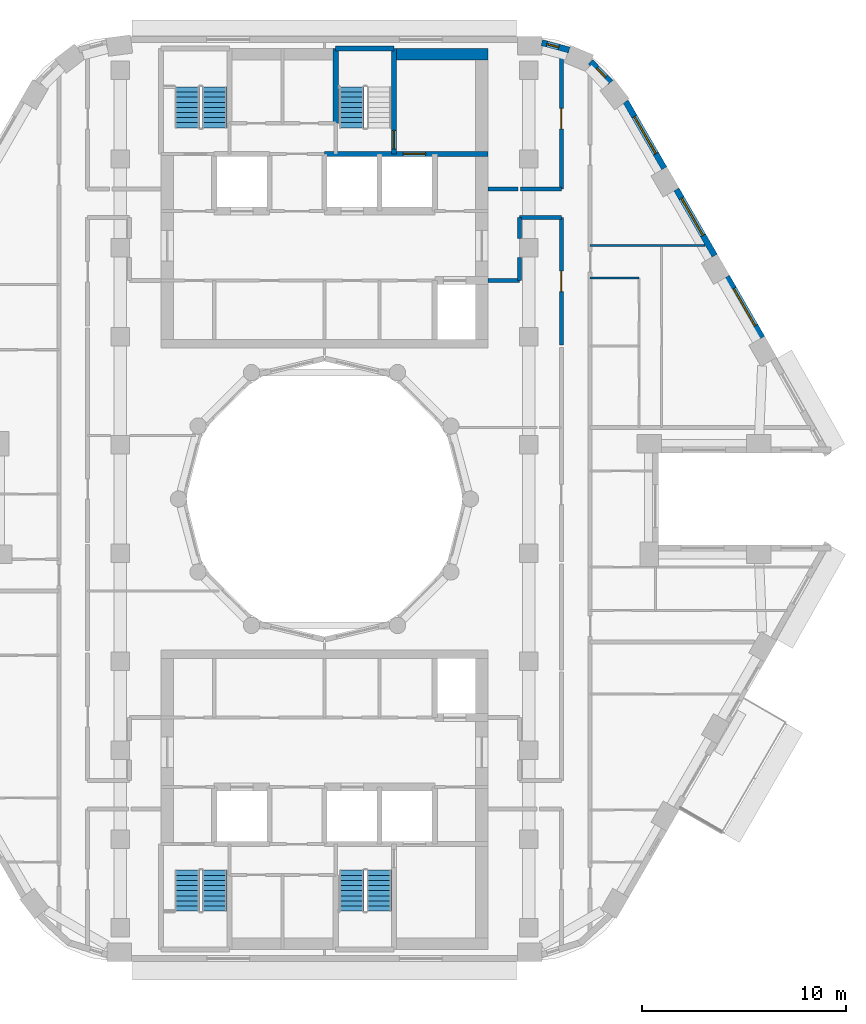
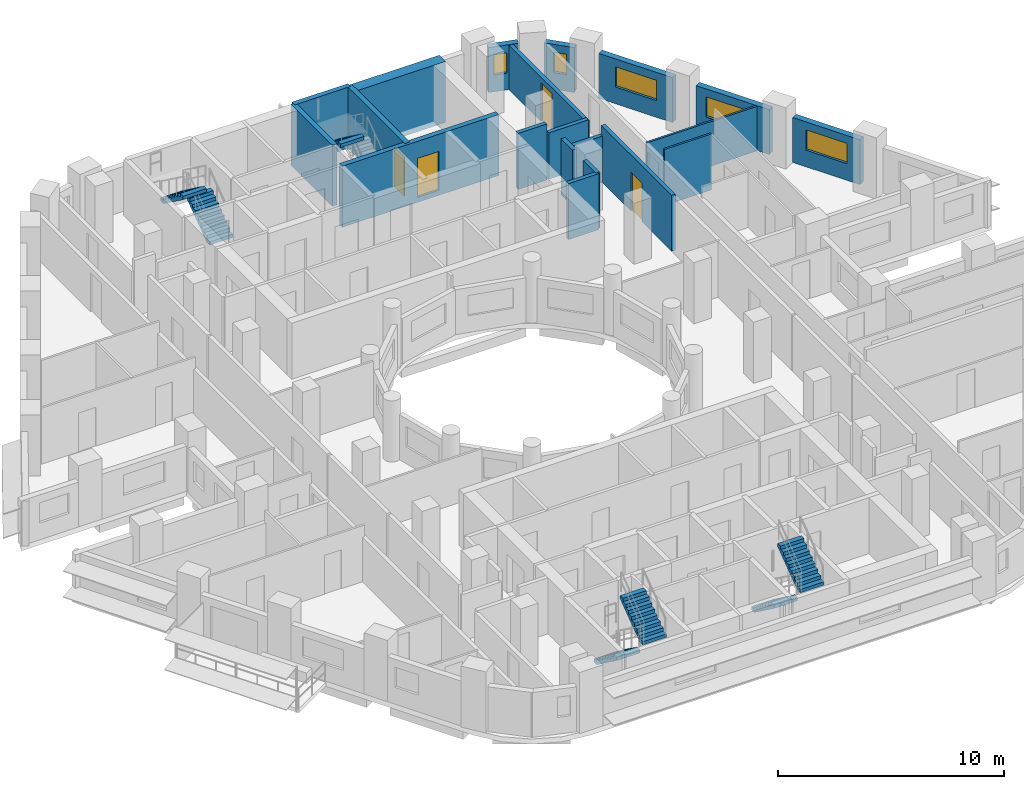
# One storey, part 9 of 16: 20 walls, 7 stair flights, 5 windows, 4 doors, 9 openings, 4 elements without a shape of their own.
"""IFC4 building model written with IfcOpenShell, lengths in metres."""

from ifc_helpers import new_model, si_unit, direction, frame, frame_2d, origin, place, context, subcontext, project, spatial, polyline, rectangle, outline, extrude, material, layer, layer_set, type_object, element, fill, aggregate, save


model = new_model("IFC4")

# Units and contexts
model_context = context("Model", 3, precision=1e-05, world=origin(), true_north=direction((0.0, 1.0)))
body_context = subcontext(model_context, "Body", "Model", "MODEL_VIEW")
ifc_project = project(units=[si_unit("LENGTHUNIT", "METRE"), si_unit("AREAUNIT", "SQUARE_METRE"), si_unit("VOLUMEUNIT", "CUBIC_METRE"), si_unit("PLANEANGLEUNIT", "RADIAN"), si_unit("MASSUNIT", "GRAM", prefix="KILO")], contexts=[model_context])

# Site, building, storey
site_placement = place(None, origin())
site = spatial("IfcSite", under=ifc_project, at=site_placement, CompositionType="ELEMENT")
building_placement = place(site_placement, origin())
building = spatial("IfcBuilding", under=site, at=building_placement, Name="Nakaniwa Court", CompositionType="ELEMENT")
storey_placement = place(building_placement, frame((0.0, 0.0, 199.800048828125)))
storey = spatial("IfcBuildingStorey", under=building, at=storey_placement, Name="L52", CompositionType="ELEMENT", Elevation=199.800048828125)

# Wall, opening, door
ifc_material_1 = material(Name="Acoustic double stud partition")
ifc_layer_1 = layer(ifc_material_1, 0.199951171875)
ifc_layer_set_1 = layer_set([ifc_layer_1], Name="Acoustic double stud partition")
wall_type_1 = type_object("IfcWallType", Name="Acoustic double stud partition 200", PredefinedType="PARTITIONING", material=ifc_layer_set_1)
wall_1_placement = place(storey_placement, frame((91.60009765625, 87.537109375, 0.0), z_axis=(0.0, 0.0, 1.0), x_axis=(0.0, 1.0, 0.0)))
wall_1 = element("IfcWall", 1, at=wall_1_placement, inside=storey, type_object=wall_type_1, Name="Partition PW-073", PredefinedType="PARTITIONING", context=body_context, shape_type="SweptSolid", body=[
    extrude(rectangle(XDim=6.23779296875, YDim=0.199951171875, at=frame_2d((3.118896484375, 0.0))), origin(), (0.0, 0.0, 1.0), 3.02490234375),
])
opening_1_placement = place(wall_1_placement, frame((2.6201171875, 0.0, 0.0)))
opening_1 = element("IfcOpeningElement", 2, at=opening_1_placement, cuts=wall_1, Name="Opening D-02-03", PredefinedType="OPENING", context=body_context, shape_type="SweptSolid", body=[
    extrude(rectangle(XDim=1.0, YDim=2.10009765625, at=frame_2d((0.5, 1.050048828125))), frame((0.0, 0.10986328125, 0.0), z_axis=(0.0, -1.0, 0.0), x_axis=(1.0, 0.0, 0.0)), (0.0, 0.0, 1.0), 0.219970703125),
])
ifc_material_2 = material(Name="Solid core timber door set, black veneer", Category="wood")
door_type_1 = type_object("IfcDoorType", Name="Internal door 1000", OperationType="NOTDEFINED", PredefinedType="DOOR", material=ifc_material_2)
door_1_placement = place(opening_1_placement, origin())
door_1 = element("IfcDoor", 3, at=door_1_placement, inside=storey, type_object=door_type_1, Name="Door D-02-03 L52-036", OperationType="SINGLE_SWING_LEFT", OverallHeight=2.10009765625, OverallWidth=1.0, PredefinedType="DOOR", context=body_context, shape_type="SweptSolid", body=[
    extrude(rectangle(XDim=1.0, YDim=2.10009765625, at=frame_2d((0.5, 1.050048828125))), frame((0.0, 0.02490234375, 0.0), z_axis=(0.0, -1.0, 0.0), x_axis=(1.0, 0.0, 0.0)), (0.0, 0.0, 1.0), 0.050048828125),
])
fill(opening_1, door_1)

wall_2_placement = place(storey_placement, frame((91.60009765625, 95.175048828125, 0.0), z_axis=(0.0, 0.0, 1.0), x_axis=(0.0, 1.0, 0.0)))
wall_2 = element("IfcWall", 4, at=wall_2_placement, inside=storey, type_object=wall_type_1, Name="Partition PW-074", PredefinedType="PARTITIONING", context=body_context, shape_type="SweptSolid", body=[
    extrude(rectangle(XDim=6.898681640625, YDim=0.199951171875, at=frame_2d((3.44921875, 0.0))), origin(), (0.0, 0.0, 1.0), 2.405029296875),
])
opening_2_placement = place(wall_2_placement, frame((2.949951171875, 0.0, 0.0)))
opening_2 = element("IfcOpeningElement", 5, at=opening_2_placement, cuts=wall_2, Name="Opening D-02-04", PredefinedType="OPENING", context=body_context, shape_type="SweptSolid", body=[
    extrude(rectangle(XDim=1.0, YDim=2.10009765625, at=frame_2d((0.5, 1.050048828125))), frame((0.0, 0.10986328125, 0.0), z_axis=(0.0, -1.0, 0.0), x_axis=(1.0, 0.0, 0.0)), (0.0, 0.0, 1.0), 0.219970703125),
])
door_2_placement = place(opening_2_placement, origin())
door_2 = element("IfcDoor", 6, at=door_2_placement, inside=storey, type_object=door_type_1, Name="Door D-02-04 L52-041", OperationType="SINGLE_SWING_RIGHT", OverallHeight=2.10009765625, OverallWidth=1.0, PredefinedType="DOOR", context=body_context, shape_type="SweptSolid", body=[
    extrude(rectangle(XDim=1.0, YDim=2.10009765625, at=frame_2d((0.5, 1.050048828125))), frame((0.0, 0.02490234375, 0.0), z_axis=(0.0, -1.0, 0.0), x_axis=(1.0, 0.0, 0.0)), (0.0, 0.0, 1.0), 0.050048828125),
])
fill(opening_2, door_2)

# Walls
wall_3_placement = place(storey_placement, frame((89.550048828125, 90.699951171875, 0.0), z_axis=(0.0, 0.0, 1.0), x_axis=(0.0, 1.0, 0.0)))
element("IfcWall", 7, at=wall_3_placement, inside=storey, type_object=wall_type_1, Name="Partition PW-084", PredefinedType="PARTITIONING", context=body_context, shape_type="SweptSolid", body=[
    extrude(rectangle(XDim=1.1328125, YDim=0.199951171875, at=frame_2d((0.56640625, 0.0))), origin(), (0.0, 0.0, 1.0), 3.02490234375),
])
wall_4_placement = place(storey_placement, frame((89.550048828125, 92.76708984375, 0.0), z_axis=(0.0, 0.0, 1.0), x_axis=(0.0, 1.0, 0.0)))
element("IfcWall", 8, at=wall_4_placement, inside=storey, type_object=wall_type_1, Name="Partition PW-085", PredefinedType="PARTITIONING", context=body_context, shape_type="SweptSolid", body=[
    extrude(rectangle(XDim=1.0078125, YDim=0.199951171875, at=frame_2d((0.50390625, 0.0))), origin(), (0.0, 0.0, 1.0), 3.02490234375),
])
wall_5_placement = place(storey_placement, frame((89.550048828125, 93.77490234375, 0.0), z_axis=(0.0, 0.0, 1.0), x_axis=(1.0, 0.0, 0.0)))
element("IfcWall", 9, at=wall_5_placement, inside=storey, type_object=wall_type_1, Name="Partition PW-089", PredefinedType="PARTITIONING", context=body_context, shape_type="SweptSolid", body=[
    extrude(rectangle(XDim=2.050048828125, YDim=0.199951171875, at=frame_2d((1.02490234375, 0.0))), origin(), (0.0, 0.0, 1.0), 2.5048828125),
])
wall_6_placement = place(storey_placement, frame((88.0, 90.699951171875, 0.0), z_axis=(0.0, 0.0, 1.0), x_axis=(1.0, 0.0, 0.0)))
element("IfcWall", 10, at=wall_6_placement, inside=storey, type_object=wall_type_1, Name="Partition PW-091", PredefinedType="PARTITIONING", context=body_context, shape_type="SweptSolid", body=[
    extrude(rectangle(XDim=1.550048828125, YDim=0.199951171875, at=frame_2d((0.77490234375, 0.0))), origin(), (0.0, 0.0, 1.0), 3.02490234375),
])
wall_7_placement = place(storey_placement, frame((88.0, 95.175048828125, 0.0), z_axis=(0.0, 0.0, 1.0), x_axis=(1.0, 0.0, 0.0)))
element("IfcWall", 11, at=wall_7_placement, inside=storey, type_object=wall_type_1, Name="Partition PW-094", PredefinedType="PARTITIONING", context=body_context, shape_type="SweptSolid", body=[
    extrude(rectangle(XDim=1.472900390625, YDim=0.199951171875, at=frame_2d((0.736328125, 0.0))), origin(), (0.0, 0.0, 1.0), 3.02490234375),
])
wall_8_placement = place(storey_placement, frame((89.587158203125, 95.175048828125, 0.0), z_axis=(0.0, 0.0, 1.0), x_axis=(1.0, 0.0, 0.0)))
element("IfcWall", 12, at=wall_8_placement, inside=storey, type_object=wall_type_1, Name="Partition PW-095", PredefinedType="PARTITIONING", context=body_context, shape_type="SweptSolid", body=[
    extrude(rectangle(XDim=2.012939453125, YDim=0.199951171875, at=frame_2d((1.00634765625, 0.0))), origin(), (0.0, 0.0, 1.0), 2.5048828125),
])

# Wall, opening, window
ifc_material_3 = material(Name="Charcoal ceramic cladding")
ifc_layer_2 = layer(ifc_material_3, 0.02, Name="Ceramic cladding")
ifc_material_4 = material(Name="Ventilated air cavity")
ifc_layer_3 = layer(ifc_material_4, 0.04, ventilated=True, Name="Ventilated cavity")
ifc_material_5 = material(Name="Mineral wool insulation")
ifc_layer_4 = layer(ifc_material_5, 0.1, Name="Insulation")
ifc_material_6 = material(Name="Cement bonded sheathing board")
ifc_layer_5 = layer(ifc_material_6, 0.012, Name="Sheathing")
ifc_material_7 = material(Name="Cold-formed galvanised stud frame with mineral wool infill")
ifc_layer_6 = layer(ifc_material_7, 0.1, Name="Stud frame")
ifc_material_8 = material(Name="Fire-rated gypsum plasterboard lining")
ifc_layer_7 = layer(ifc_material_8, 0.028, Name="Lining")
ifc_layer_set_2 = layer_set([ifc_layer_2, ifc_layer_3, ifc_layer_4, ifc_layer_5, ifc_layer_6, ifc_layer_7], Name="Charcoal ceramic faced external wall system")
wall_type_2 = type_object("IfcWallType", Name="Black ceramic faced external wall 300", PredefinedType="SOLIDWALL", material=ifc_layer_set_2)
wall_9_placement = place(storey_placement, frame((101.420654296875, 87.898193359375, 0.0), z_axis=(0.0, 0.0, 1.0), x_axis=(-0.499955427682, 0.866051136095, 0.0)))
wall_9 = element("IfcWall", 13, at=wall_9_placement, inside=storey, type_object=wall_type_2, Name="L52 external wall 03", PredefinedType="SOLIDWALL", context=body_context, shape_type="SweptSolid", body=[
    extrude(rectangle(XDim=3.447021484375, YDim=0.300048828125, at=frame_2d((1.7236328125, 0.0))), origin(), (0.0, 0.0, 1.0), 2.425048828125),
])
opening_3_placement = place(wall_9_placement, frame((0.673583984375, 0.0, 0.89990234375)))
opening_3 = element("IfcOpeningElement", 14, at=opening_3_placement, cuts=wall_9, Name="Opening W7.05", PredefinedType="OPENING", context=body_context, shape_type="SweptSolid", body=[
    extrude(rectangle(XDim=2.10009765625, YDim=1.10009765625, at=frame_2d((1.050048828125, 0.550048828125))), frame((0.0, 0.159912109375, 0.0), z_axis=(0.0, -1.0, 0.0), x_axis=(1.0, 0.0, 0.0)), (0.0, 0.0, 1.0), 0.320068359375),
])
ifc_material_9 = material(Name="Black anodised aluminium frame with dark low-E laminated double glazing", Category="aluminium")
window_type_1 = type_object("IfcWindowType", Name="Dark glass window 2100x1100 sill 900", PartitioningType="SINGLE_PANEL", PredefinedType="WINDOW", material=ifc_material_9)
window_1_placement = place(opening_3_placement, origin())
window_1 = element("IfcWindow", 15, at=window_1_placement, inside=storey, type_object=window_type_1, Name="L52 living window 03-0", OverallHeight=1.10009765625, OverallWidth=2.10009765625, PartitioningType="SINGLE_PANEL", PredefinedType="WINDOW", context=body_context, shape_type="SweptSolid", body=[
    extrude(rectangle(XDim=2.10009765625, YDim=1.10009765625, at=frame_2d((1.050048828125, 0.550048828125))), frame((0.0, 0.030029296875, 0.0), z_axis=(0.0, -1.0, 0.0), x_axis=(1.0, 0.0, 0.0)), (0.0, 0.0, 1.0), 0.06005859375),
])
fill(opening_3, window_1)

wall_10_placement = place(storey_placement, frame((99.101318359375, 91.916015625, 0.0), z_axis=(0.0, 0.0, 1.0), x_axis=(-0.500059225181, 0.86599120741, 0.0)))
wall_10 = element("IfcWall", 16, at=wall_10_placement, inside=storey, type_object=wall_type_2, Name="L52 external wall 04", PredefinedType="SOLIDWALL", context=body_context, shape_type="SweptSolid", body=[
    extrude(rectangle(XDim=3.744140625, YDim=0.300048828125, at=frame_2d((1.8720703125, 0.0))), origin(), (0.0, 0.0, 1.0), 2.425048828125),
])
opening_4_placement = place(wall_10_placement, frame((1.145263671875, 0.0, 0.89990234375)))
opening_4 = element("IfcOpeningElement", 17, at=opening_4_placement, cuts=wall_10, Name="Opening W7.06", PredefinedType="OPENING", context=body_context, shape_type="SweptSolid", body=[
    extrude(rectangle(XDim=2.10009765625, YDim=1.10009765625, at=frame_2d((1.050048828125, 0.550048828125))), frame((0.0, 0.159912109375, 0.0), z_axis=(0.0, -1.0, 0.0), x_axis=(1.0, 0.0, 0.0)), (0.0, 0.0, 1.0), 0.320068359375),
])
window_2_placement = place(opening_4_placement, origin())
window_2 = element("IfcWindow", 18, at=window_2_placement, inside=storey, type_object=window_type_1, Name="L52 habitable room window 04-1", OverallHeight=1.10009765625, OverallWidth=2.10009765625, PartitioningType="SINGLE_PANEL", PredefinedType="WINDOW", context=body_context, shape_type="SweptSolid", body=[
    extrude(rectangle(XDim=2.10009765625, YDim=1.10009765625, at=frame_2d((1.050048828125, 0.550048828125))), frame((0.0, 0.030029296875, 0.0), z_axis=(0.0, -1.0, 0.0), x_axis=(1.0, 0.0, 0.0)), (0.0, 0.0, 1.0), 0.06005859375),
])
fill(opening_4, window_2)

wall_11_placement = place(storey_placement, frame((96.633056640625, 96.190673828125, 0.0), z_axis=(0.0, 0.0, 1.0), x_axis=(-0.499961087031, 0.866047869032, 0.0)))
wall_11 = element("IfcWall", 19, at=wall_11_placement, inside=storey, type_object=wall_type_2, Name="L52 external wall 05", PredefinedType="SOLIDWALL", context=body_context, shape_type="SweptSolid", body=[
    extrude(rectangle(XDim=3.778564453125, YDim=0.300048828125, at=frame_2d((1.88916015625, 0.0))), origin(), (0.0, 0.0, 1.0), 2.425048828125),
])
opening_5_placement = place(wall_11_placement, frame((0.827880859375, 0.0, 0.89990234375)))
opening_5 = element("IfcOpeningElement", 20, at=opening_5_placement, cuts=wall_11, Name="Opening W7.07", PredefinedType="OPENING", context=body_context, shape_type="SweptSolid", body=[
    extrude(rectangle(XDim=2.10009765625, YDim=1.10009765625, at=frame_2d((1.050048828125, 0.550048828125))), frame((0.0, 0.159912109375, 0.0), z_axis=(0.0, -1.0, 0.0), x_axis=(1.0, 0.0, 0.0)), (0.0, 0.0, 1.0), 0.320068359375),
])
window_3_placement = place(opening_5_placement, origin())
window_3 = element("IfcWindow", 21, at=window_3_placement, inside=storey, type_object=window_type_1, Name="L52 habitable room window 05-0", OverallHeight=1.10009765625, OverallWidth=2.10009765625, PartitioningType="SINGLE_PANEL", PredefinedType="WINDOW", context=body_context, shape_type="SweptSolid", body=[
    extrude(rectangle(XDim=2.10009765625, YDim=1.10009765625, at=frame_2d((1.050048828125, 0.550048828125))), frame((0.0, 0.030029296875, 0.0), z_axis=(0.0, -1.0, 0.0), x_axis=(1.0, 0.0, 0.0)), (0.0, 0.0, 1.0), 0.06005859375),
])
fill(opening_5, window_3)

wall_12_placement = place(storey_placement, frame((94.009033203125, 100.40185546875, 0.0), z_axis=(0.0, 0.0, 1.0), x_axis=(-0.69817596362, 0.715926199984, 0.0)))
wall_12 = element("IfcWall", 22, at=wall_12_placement, inside=storey, type_object=wall_type_2, Name="L52 external wall 06", PredefinedType="SOLIDWALL", context=body_context, shape_type="SweptSolid", body=[
    extrude(rectangle(XDim=1.40283203125, YDim=0.300048828125, at=frame_2d((0.701416015625, 0.0))), origin(), (0.0, 0.0, 1.0), 2.425048828125),
])
opening_6_placement = place(wall_12_placement, frame((0.35986328125, 0.0, 0.89990234375)))
opening_6 = element("IfcOpeningElement", 23, at=opening_6_placement, cuts=wall_12, Name="Opening W8.08", PredefinedType="OPENING", context=body_context, shape_type="SweptSolid", body=[
    extrude(rectangle(XDim=0.60009765625, YDim=1.10009765625, at=frame_2d((0.300048828125, 0.550048828125))), frame((0.0, 0.159912109375, 0.0), z_axis=(0.0, -1.0, 0.0), x_axis=(1.0, 0.0, 0.0)), (0.0, 0.0, 1.0), 0.320068359375),
])
window_type_2 = type_object("IfcWindowType", Name="Dark glass window 600x1100 sill 900", PartitioningType="SINGLE_PANEL", PredefinedType="WINDOW", material=ifc_material_9)
window_4_placement = place(opening_6_placement, origin())
window_4 = element("IfcWindow", 24, at=window_4_placement, inside=storey, type_object=window_type_2, Name="L52 habitable room window 06-0", OverallHeight=1.10009765625, OverallWidth=0.60009765625, PartitioningType="SINGLE_PANEL", PredefinedType="WINDOW", context=body_context, shape_type="SweptSolid", body=[
    extrude(rectangle(XDim=0.60009765625, YDim=1.10009765625, at=frame_2d((0.300048828125, 0.550048828125))), frame((0.0, 0.030029296875, 0.0), z_axis=(0.0, -1.0, 0.0), x_axis=(1.0, 0.0, 0.0)), (0.0, 0.0, 1.0), 0.06005859375),
])
fill(opening_6, window_4)

wall_13_placement = place(storey_placement, frame((91.977294921875, 101.981201171875, 0.0), z_axis=(0.0, 0.0, 1.0), x_axis=(-0.965315341278, 0.261086751661, 0.0)))
wall_13 = element("IfcWall", 25, at=wall_13_placement, inside=storey, type_object=wall_type_2, Name="L52 external wall 07", PredefinedType="SOLIDWALL", context=body_context, shape_type="SweptSolid", body=[
    extrude(rectangle(XDim=1.384033203125, YDim=0.300048828125, at=frame_2d((0.69189453125, 0.0))), origin(), (0.0, 0.0, 1.0), 2.425048828125),
])
opening_7_placement = place(wall_13_placement, frame((0.529296875, 0.0, 0.89990234375)))
opening_7 = element("IfcOpeningElement", 26, at=opening_7_placement, cuts=wall_13, Name="Opening W8.09", PredefinedType="OPENING", context=body_context, shape_type="SweptSolid", body=[
    extrude(rectangle(XDim=0.60009765625, YDim=1.10009765625, at=frame_2d((0.300048828125, 0.550048828125))), frame((0.0, 0.159912109375, 0.0), z_axis=(0.0, -1.0, 0.0), x_axis=(1.0, 0.0, 0.0)), (0.0, 0.0, 1.0), 0.320068359375),
])
window_5_placement = place(opening_7_placement, origin())
window_5 = element("IfcWindow", 27, at=window_5_placement, inside=storey, type_object=window_type_2, Name="L52 habitable room window 07-1", OverallHeight=1.10009765625, OverallWidth=0.60009765625, PartitioningType="SINGLE_PANEL", PredefinedType="WINDOW", context=body_context, shape_type="SweptSolid", body=[
    extrude(rectangle(XDim=0.60009765625, YDim=1.10009765625, at=frame_2d((0.300048828125, 0.550048828125))), frame((0.0, 0.030029296875, 0.0), z_axis=(0.0, -1.0, 0.0), x_axis=(1.0, 0.0, 0.0)), (0.0, 0.0, 1.0), 0.06005859375),
])
fill(opening_7, window_5)

# Walls
ifc_material_10 = material(Name="Concrete C80/100", Category="concrete")
ifc_layer_8 = layer(ifc_material_10, 0.25)
ifc_layer_set_3 = layer_set([ifc_layer_8], Name="Concrete C80/100")
wall_type_3 = type_object("IfcWallType", Name="Concrete core wall 250 C80", PredefinedType="SHEAR", material=ifc_layer_set_3)
wall_14_placement = place(storey_placement, frame((80.550048828125, 102.050048828125, -0.275146484375), z_axis=(0.0, 0.0, 1.0), x_axis=(1.0, 0.0, 0.0)))
element("IfcWall", 28, at=wall_14_placement, inside=storey, type_object=wall_type_3, Name="Core wall SW-26", PredefinedType="SHEAR", context=body_context, shape_type="SweptSolid", body=[
    extrude(rectangle(XDim=2.849853515625, YDim=0.25, at=frame_2d((1.4248046875, 0.0))), origin(), (0.0, 0.0, 1.0), 3.300048828125),
])
ifc_layer_9 = layer(ifc_material_10, 0.550048828125)
ifc_layer_set_4 = layer_set([ifc_layer_9], Name="Concrete C80/100")
wall_type_4 = type_object("IfcWallType", Name="Concrete core wall 550 C80", PredefinedType="SHEAR", material=ifc_layer_set_4)
wall_15_placement = place(storey_placement, frame((83.39990234375, 101.77490234375, -0.275146484375), z_axis=(0.0, 0.0, 1.0), x_axis=(1.0, 0.0, 0.0)))
element("IfcWall", 29, at=wall_15_placement, inside=storey, type_object=wall_type_4, Name="Core wall SW-32", PredefinedType="SHEAR", context=body_context, shape_type="SweptSolid", body=[
    extrude(rectangle(XDim=4.60009765625, YDim=0.550048828125, at=frame_2d((2.300048828125, 0.0))), origin(), (0.0, 0.0, 1.0), 3.300048828125),
])

# Wall, opening, door
ifc_layer_10 = layer(ifc_material_10, 0.25)
ifc_layer_set_5 = layer_set([ifc_layer_10], Name="Concrete C80/100")
wall_type_5 = type_object("IfcWallType", Name="Concrete shaft wall 250 C80", PredefinedType="SHEAR", material=ifc_layer_set_5)
wall_16_placement = place(storey_placement, frame((80.0, 96.89990234375, -0.275146484375), z_axis=(0.0, 0.0, 1.0), x_axis=(1.0, 0.0, 0.0)))
wall_16 = element("IfcWall", 30, at=wall_16_placement, inside=storey, type_object=wall_type_5, Name="Core wall SW-19", PredefinedType="SHEAR", context=body_context, shape_type="SweptSolid", body=[
    extrude(rectangle(XDim=8.0, YDim=0.25, at=frame_2d((4.0, 0.0))), origin(), (0.0, 0.0, 1.0), 3.300048828125),
])
opening_8_placement = place(wall_16_placement, frame((3.84912109375, 0.0, 0.27490234375)))
opening_8 = element("IfcOpeningElement", 31, at=opening_8_placement, cuts=wall_16, Name="Opening LD04", PredefinedType="OPENING", context=body_context, shape_type="SweptSolid", body=[
    extrude(rectangle(XDim=1.10009765625, YDim=2.10009765625, at=frame_2d((0.550048828125, 1.050048828125))), frame((0.0, 0.135009765625, 0.0), z_axis=(0.0, -1.0, 0.0), x_axis=(1.0, 0.0, 0.0)), (0.0, 0.0, 1.0), 0.27001953125),
])
ifc_material_11 = material(Name="Stainless steel sliding lift landing door", Category="steel")
door_type_2 = type_object("IfcDoorType", Name="Lift landing door 1100", OperationType="NOTDEFINED", PredefinedType="DOOR", material=ifc_material_11)
door_3_placement = place(opening_8_placement, origin())
door_3 = element("IfcDoor", 32, at=door_3_placement, inside=storey, type_object=door_type_2, Name="Lift landing door LD04 L52-004", OperationType="SLIDING_TO_LEFT", OverallHeight=2.10009765625, OverallWidth=1.10009765625, PredefinedType="DOOR", context=body_context, shape_type="SweptSolid", body=[
    extrude(rectangle(XDim=1.10009765625, YDim=2.10009765625, at=frame_2d((0.550048828125, 1.050048828125))), frame((0.0, 0.02490234375, 0.0), z_axis=(0.0, -1.0, 0.0), x_axis=(1.0, 0.0, 0.0)), (0.0, 0.0, 1.0), 0.050048828125),
])
fill(opening_8, door_3)

wall_17_placement = place(storey_placement, frame((83.39990234375, 102.050048828125, -0.275146484375), z_axis=(0.0, 0.0, 1.0), x_axis=(0.0, -1.0, 0.0)))
wall_17 = element("IfcWall", 33, at=wall_17_placement, inside=storey, type_object=wall_type_5, Name="Core wall SW-28", PredefinedType="SHEAR", context=body_context, shape_type="SweptSolid", body=[
    extrude(rectangle(XDim=5.150146484375, YDim=0.25, at=frame_2d((2.5751953125, 0.0))), origin(), (0.0, 0.0, 1.0), 3.300048828125),
])
opening_9_placement = place(wall_17_placement, frame((4.0, 0.0, 0.27490234375)))
opening_9 = element("IfcOpeningElement", 34, at=opening_9_placement, cuts=wall_17, Name="Opening D-11-01", PredefinedType="OPENING", context=body_context, shape_type="SweptSolid", body=[
    extrude(rectangle(XDim=0.89990234375, YDim=2.10009765625, at=frame_2d((0.449951171875, 1.050048828125))), frame((0.0, 0.135009765625, 0.0), z_axis=(0.0, -1.0, 0.0), x_axis=(1.0, 0.0, 0.0)), (0.0, 0.0, 1.0), 0.27001953125),
])
ifc_material_12 = material(Name="Fire rated steel door set", Category="steel")
door_type_3 = type_object("IfcDoorType", Name="Stair door 900", OperationType="NOTDEFINED", PredefinedType="DOOR", material=ifc_material_12)
door_4_placement = place(opening_9_placement, origin())
door_4 = element("IfcDoor", 35, at=door_4_placement, inside=storey, type_object=door_type_3, Name="Door D-11-01 L52-012", OperationType="SINGLE_SWING_RIGHT", OverallHeight=2.10009765625, OverallWidth=0.89990234375, PredefinedType="DOOR", context=body_context, shape_type="SweptSolid", body=[
    extrude(rectangle(XDim=0.89990234375, YDim=2.10009765625, at=frame_2d((0.449951171875, 1.050048828125))), frame((0.0, 0.02490234375, 0.0), z_axis=(0.0, -1.0, 0.0), x_axis=(1.0, 0.0, 0.0)), (0.0, 0.0, 1.0), 0.050048828125),
])
fill(opening_9, door_4)

# Walls
wall_18_placement = place(storey_placement, frame((80.550048828125, 98.39697265625, -0.275146484375), z_axis=(0.0, 0.0, 1.0), x_axis=(0.0, 1.0, 0.0)))
element("IfcWall", 36, at=wall_18_placement, inside=storey, type_object=wall_type_5, Name="Core wall SW-30", PredefinedType="SHEAR", context=body_context, shape_type="SweptSolid", body=[
    extrude(rectangle(XDim=3.653076171875, YDim=0.25, at=frame_2d((1.82666015625, 0.0))), origin(), (0.0, 0.0, 1.0), 3.300048828125),
])
ifc_material_13 = material(Name="Single stud plasterboard partition")
ifc_layer_11 = layer(ifc_material_13, 0.10009765625)
ifc_layer_set_6 = layer_set([ifc_layer_11], Name="Single stud plasterboard partition")
wall_type_6 = type_object("IfcWallType", Name="Single stud plasterboard partition 100", PredefinedType="PARTITIONING", material=ifc_layer_set_6)
wall_19_placement = place(storey_placement, frame((93.0009765625, 90.81201171875, 0.0), z_axis=(0.0, 0.0, 1.0), x_axis=(1.0, 0.0, 0.0)))
element("IfcWall", 37, at=wall_19_placement, inside=storey, type_object=wall_type_6, Name="Partition PW-125", PredefinedType="PARTITIONING", context=body_context, shape_type="SweptSolid", body=[
    extrude(rectangle(XDim=2.39990234375, YDim=0.10009765625, at=frame_2d((1.199951171875, 0.0))), origin(), (0.0, 0.0, 1.0), 3.02490234375),
])
wall_20_placement = place(storey_placement, frame((93.0009765625, 92.412109375, 0.0), z_axis=(0.0, 0.0, 1.0), x_axis=(1.0, 0.0, 0.0)))
element("IfcWall", 38, at=wall_20_placement, inside=storey, type_object=wall_type_6, Name="Partition PW-127", PredefinedType="PARTITIONING", context=body_context, shape_type="SweptSolid", body=[
    extrude(rectangle(XDim=5.64013671875, YDim=0.10009765625, at=frame_2d((2.820068359375, 0.0))), origin(), (0.0, 0.0, 1.0), 2.405029296875),
])

# Stair, stair flights
stair_type = type_object("IfcStairType", Name="Dog leg stair 1200 wide 18 risers", PredefinedType="HALF_TURN_STAIR", material=ifc_material_10)
stair_1_placement = place(storey_placement, origin())
stair_1 = element("IfcStair", 39, at=stair_1_placement, inside=storey, type_object=stair_type, Name="L52 Stair ST1", PredefinedType="HALF_TURN_STAIR")
stair_flight_type = type_object("IfcStairFlightType", Name="Stair flight 1200 wide 9 risers", PredefinedType="STRAIGHT", material=ifc_material_10)
stair_flight_1_placement = place(storey_placement, frame((74.625, 98.175048828125, 0.0), z_axis=(0.0, 0.0, 1.0), x_axis=(0.0, 1.0, 0.0)))
stair_flight_1 = element("IfcStairFlight", 40, at=stair_flight_1_placement, type_object=stair_flight_type, Name="ST1 flight 1", NumberOfRisers=9, NumberOfTreads=8, PredefinedType="STRAIGHT", RiserHeight=0.183333333, TreadLength=0.25, context=body_context, shape_type="SweptSolid", body=[
    extrude(outline(polyline([(0.0, 0.0), (0.0, 0.026123046875), (0.0, 0.052490234375), (0.0, 0.07861328125), (0.0, 0.104736328125), (0.0, 0.130859375), (0.0, 0.1572265625), (0.0, 0.183349609375), (0.25, 0.183349609375), (0.25, 0.36669921875), (0.5, 0.36669921875), (0.5, 0.550048828125), (0.75, 0.550048828125), (0.75, 0.7333984375), (1.0, 0.7333984375), (1.0, 0.916748046875), (1.25, 0.916748046875), (1.25, 1.10009765625), (1.5, 1.10009765625), (1.5, 1.283447265625), (1.75, 1.283447265625), (1.75, 1.466552734375), (2.0, 1.466552734375), (2.0, 1.64990234375), (2.0, 1.59716796875), (2.0, 1.54443359375), (2.0, 1.49169921875), (2.0, 1.43896484375), (2.0, 1.38623046875), (2.0, 1.33349609375), (2.0, 1.28076171875), (0.25341796875, 0.0), (0.0, 0.0)])), frame((0.0, 0.60009765625, 0.0), z_axis=(0.0, -1.0, 0.0), x_axis=(1.0, 0.0, 0.0)), (0.0, 0.0, 1.0), 1.199951171875),
])
stair_flight_2_placement = place(storey_placement, frame((73.27490234375, 100.175048828125, 1.64990234375), z_axis=(0.0, 0.0, 1.0), x_axis=(0.0, -1.0, 0.0)))
stair_flight_2 = element("IfcStairFlight", 41, at=stair_flight_2_placement, type_object=stair_flight_type, Name="ST1 flight 2", NumberOfRisers=9, NumberOfTreads=8, PredefinedType="STRAIGHT", RiserHeight=0.183333333, TreadLength=0.25, context=body_context, shape_type="SweptSolid", body=[
    extrude(outline(polyline([(0.0, 0.0), (0.0, 0.026123046875), (0.0, 0.052490234375), (0.0, 0.07861328125), (0.0, 0.104736328125), (0.0, 0.130859375), (0.0, 0.1572265625), (0.0, 0.183349609375), (0.25, 0.183349609375), (0.25, 0.36669921875), (0.5, 0.36669921875), (0.5, 0.550048828125), (0.75, 0.550048828125), (0.75, 0.7333984375), (1.0, 0.7333984375), (1.0, 0.916748046875), (1.25, 0.916748046875), (1.25, 1.10009765625), (1.5, 1.10009765625), (1.5, 1.283447265625), (1.75, 1.283447265625), (1.75, 1.466552734375), (2.0, 1.466552734375), (2.0, 1.64990234375), (2.0, 1.59716796875), (2.0, 1.54443359375), (2.0, 1.49169921875), (2.0, 1.43896484375), (2.0, 1.38623046875), (2.0, 1.33349609375), (2.0, 1.28076171875), (0.25341796875, 0.0), (0.0, 0.0)])), frame((0.0, 0.60009765625, 0.0), z_axis=(0.0, -1.0, 0.0), x_axis=(1.0, 0.0, 0.0)), (0.0, 0.0, 1.0), 1.199951171875),
])
aggregate(stair_1, [stair_flight_1, stair_flight_2])

# Stair, stair flight
stair_2_placement = place(storey_placement, origin())
stair_2 = element("IfcStair", 42, at=stair_2_placement, inside=storey, type_object=stair_type, Name="L52 Stair ST2", PredefinedType="HALF_TURN_STAIR")
stair_flight_3_placement = place(storey_placement, frame((81.324951171875, 100.175048828125, 1.64990234375), z_axis=(0.0, 0.0, 1.0), x_axis=(0.0, -1.0, 0.0)))
stair_flight_3 = element("IfcStairFlight", 43, at=stair_flight_3_placement, type_object=stair_flight_type, Name="ST2 flight 2", NumberOfRisers=9, NumberOfTreads=8, PredefinedType="STRAIGHT", RiserHeight=0.183333333, TreadLength=0.25, context=body_context, shape_type="SweptSolid", body=[
    extrude(outline(polyline([(0.0, 0.0), (0.0, 0.026123046875), (0.0, 0.052490234375), (0.0, 0.07861328125), (0.0, 0.104736328125), (0.0, 0.130859375), (0.0, 0.1572265625), (0.0, 0.183349609375), (0.25, 0.183349609375), (0.25, 0.36669921875), (0.5, 0.36669921875), (0.5, 0.550048828125), (0.75, 0.550048828125), (0.75, 0.7333984375), (1.0, 0.7333984375), (1.0, 0.916748046875), (1.25, 0.916748046875), (1.25, 1.10009765625), (1.5, 1.10009765625), (1.5, 1.283447265625), (1.75, 1.283447265625), (1.75, 1.466552734375), (2.0, 1.466552734375), (2.0, 1.64990234375), (2.0, 1.59716796875), (2.0, 1.54443359375), (2.0, 1.49169921875), (2.0, 1.43896484375), (2.0, 1.38623046875), (2.0, 1.33349609375), (2.0, 1.28076171875), (0.25341796875, 0.0), (0.0, 0.0)])), frame((0.0, 0.60009765625, 0.0), z_axis=(0.0, -1.0, 0.0), x_axis=(1.0, 0.0, 0.0)), (0.0, 0.0, 1.0), 1.199951171875),
])
aggregate(stair_2, [stair_flight_3])

# Stair, stair flights
stair_3_placement = place(storey_placement, origin())
stair_3 = element("IfcStair", 44, at=stair_3_placement, inside=storey, type_object=stair_type, Name="L52 Stair ST3", PredefinedType="HALF_TURN_STAIR")
stair_flight_4_placement = place(storey_placement, frame((73.27490234375, 61.824951171875, 0.0), z_axis=(0.0, 0.0, 1.0), x_axis=(0.0, -1.0, 0.0)))
stair_flight_4 = element("IfcStairFlight", 45, at=stair_flight_4_placement, type_object=stair_flight_type, Name="ST3 flight 1", NumberOfRisers=9, NumberOfTreads=8, PredefinedType="STRAIGHT", RiserHeight=0.183333333, TreadLength=0.25, context=body_context, shape_type="SweptSolid", body=[
    extrude(outline(polyline([(0.0, 0.0), (0.0, 0.026123046875), (0.0, 0.052490234375), (0.0, 0.07861328125), (0.0, 0.104736328125), (0.0, 0.130859375), (0.0, 0.1572265625), (0.0, 0.183349609375), (0.25, 0.183349609375), (0.25, 0.36669921875), (0.5, 0.36669921875), (0.5, 0.550048828125), (0.75, 0.550048828125), (0.75, 0.7333984375), (1.0, 0.7333984375), (1.0, 0.916748046875), (1.25, 0.916748046875), (1.25, 1.10009765625), (1.5, 1.10009765625), (1.5, 1.283447265625), (1.75, 1.283447265625), (1.75, 1.466552734375), (2.0, 1.466552734375), (2.0, 1.64990234375), (2.0, 1.59716796875), (2.0, 1.54443359375), (2.0, 1.49169921875), (2.0, 1.43896484375), (2.0, 1.38623046875), (2.0, 1.33349609375), (2.0, 1.28076171875), (0.25341796875, 0.0), (0.0, 0.0)])), frame((0.0, 0.60009765625, 0.0), z_axis=(0.0, -1.0, 0.0), x_axis=(1.0, 0.0, 0.0)), (0.0, 0.0, 1.0), 1.199951171875),
])
stair_flight_5_placement = place(storey_placement, frame((74.625, 59.824951171875, 1.64990234375), z_axis=(0.0, 0.0, 1.0), x_axis=(0.0, 1.0, 0.0)))
stair_flight_5 = element("IfcStairFlight", 46, at=stair_flight_5_placement, type_object=stair_flight_type, Name="ST3 flight 2", NumberOfRisers=9, NumberOfTreads=8, PredefinedType="STRAIGHT", RiserHeight=0.183333333, TreadLength=0.25, context=body_context, shape_type="SweptSolid", body=[
    extrude(outline(polyline([(0.0, 0.0), (0.0, 0.026123046875), (0.0, 0.052490234375), (0.0, 0.07861328125), (0.0, 0.104736328125), (0.0, 0.130859375), (0.0, 0.1572265625), (0.0, 0.183349609375), (0.25, 0.183349609375), (0.25, 0.36669921875), (0.5, 0.36669921875), (0.5, 0.550048828125), (0.75, 0.550048828125), (0.75, 0.7333984375), (1.0, 0.7333984375), (1.0, 0.916748046875), (1.25, 0.916748046875), (1.25, 1.10009765625), (1.5, 1.10009765625), (1.5, 1.283447265625), (1.75, 1.283447265625), (1.75, 1.466552734375), (2.0, 1.466552734375), (2.0, 1.64990234375), (2.0, 1.59716796875), (2.0, 1.54443359375), (2.0, 1.49169921875), (2.0, 1.43896484375), (2.0, 1.38623046875), (2.0, 1.33349609375), (2.0, 1.28076171875), (0.25341796875, 0.0), (0.0, 0.0)])), frame((0.0, 0.60009765625, 0.0), z_axis=(0.0, -1.0, 0.0), x_axis=(1.0, 0.0, 0.0)), (0.0, 0.0, 1.0), 1.199951171875),
])
aggregate(stair_3, [stair_flight_4, stair_flight_5])

stair_4_placement = place(storey_placement, origin())
stair_4 = element("IfcStair", 47, at=stair_4_placement, inside=storey, type_object=stair_type, Name="L52 Stair ST4", PredefinedType="HALF_TURN_STAIR")
stair_flight_6_placement = place(storey_placement, frame((81.324951171875, 61.824951171875, 0.0), z_axis=(0.0, 0.0, 1.0), x_axis=(0.0, -1.0, 0.0)))
stair_flight_6 = element("IfcStairFlight", 48, at=stair_flight_6_placement, type_object=stair_flight_type, Name="ST4 flight 1", NumberOfRisers=9, NumberOfTreads=8, PredefinedType="STRAIGHT", RiserHeight=0.183333333, TreadLength=0.25, context=body_context, shape_type="SweptSolid", body=[
    extrude(outline(polyline([(0.0, 0.0), (0.0, 0.026123046875), (0.0, 0.052490234375), (0.0, 0.07861328125), (0.0, 0.104736328125), (0.0, 0.130859375), (0.0, 0.1572265625), (0.0, 0.183349609375), (0.25, 0.183349609375), (0.25, 0.36669921875), (0.5, 0.36669921875), (0.5, 0.550048828125), (0.75, 0.550048828125), (0.75, 0.7333984375), (1.0, 0.7333984375), (1.0, 0.916748046875), (1.25, 0.916748046875), (1.25, 1.10009765625), (1.5, 1.10009765625), (1.5, 1.283447265625), (1.75, 1.283447265625), (1.75, 1.466552734375), (2.0, 1.466552734375), (2.0, 1.64990234375), (2.0, 1.59716796875), (2.0, 1.54443359375), (2.0, 1.49169921875), (2.0, 1.43896484375), (2.0, 1.38623046875), (2.0, 1.33349609375), (2.0, 1.28076171875), (0.25341796875, 0.0), (0.0, 0.0)])), frame((0.0, 0.60009765625, 0.0), z_axis=(0.0, -1.0, 0.0), x_axis=(1.0, 0.0, 0.0)), (0.0, 0.0, 1.0), 1.199951171875),
])
stair_flight_7_placement = place(storey_placement, frame((82.675048828125, 59.824951171875, 1.64990234375), z_axis=(0.0, 0.0, 1.0), x_axis=(0.0, 1.0, 0.0)))
stair_flight_7 = element("IfcStairFlight", 49, at=stair_flight_7_placement, type_object=stair_flight_type, Name="ST4 flight 2", NumberOfRisers=9, NumberOfTreads=8, PredefinedType="STRAIGHT", RiserHeight=0.183333333, TreadLength=0.25, context=body_context, shape_type="SweptSolid", body=[
    extrude(outline(polyline([(0.0, 0.0), (0.0, 0.026123046875), (0.0, 0.052490234375), (0.0, 0.07861328125), (0.0, 0.104736328125), (0.0, 0.130859375), (0.0, 0.1572265625), (0.0, 0.183349609375), (0.25, 0.183349609375), (0.25, 0.36669921875), (0.5, 0.36669921875), (0.5, 0.550048828125), (0.75, 0.550048828125), (0.75, 0.7333984375), (1.0, 0.7333984375), (1.0, 0.916748046875), (1.25, 0.916748046875), (1.25, 1.10009765625), (1.5, 1.10009765625), (1.5, 1.283447265625), (1.75, 1.283447265625), (1.75, 1.466552734375), (2.0, 1.466552734375), (2.0, 1.64990234375), (2.0, 1.59716796875), (2.0, 1.54443359375), (2.0, 1.49169921875), (2.0, 1.43896484375), (2.0, 1.38623046875), (2.0, 1.33349609375), (2.0, 1.28076171875), (0.25341796875, 0.0), (0.0, 0.0)])), frame((0.0, 0.60009765625, 0.0), z_axis=(0.0, -1.0, 0.0), x_axis=(1.0, 0.0, 0.0)), (0.0, 0.0, 1.0), 1.199951171875),
])
aggregate(stair_4, [stair_flight_6, stair_flight_7])

save(model, "model.ifc")
